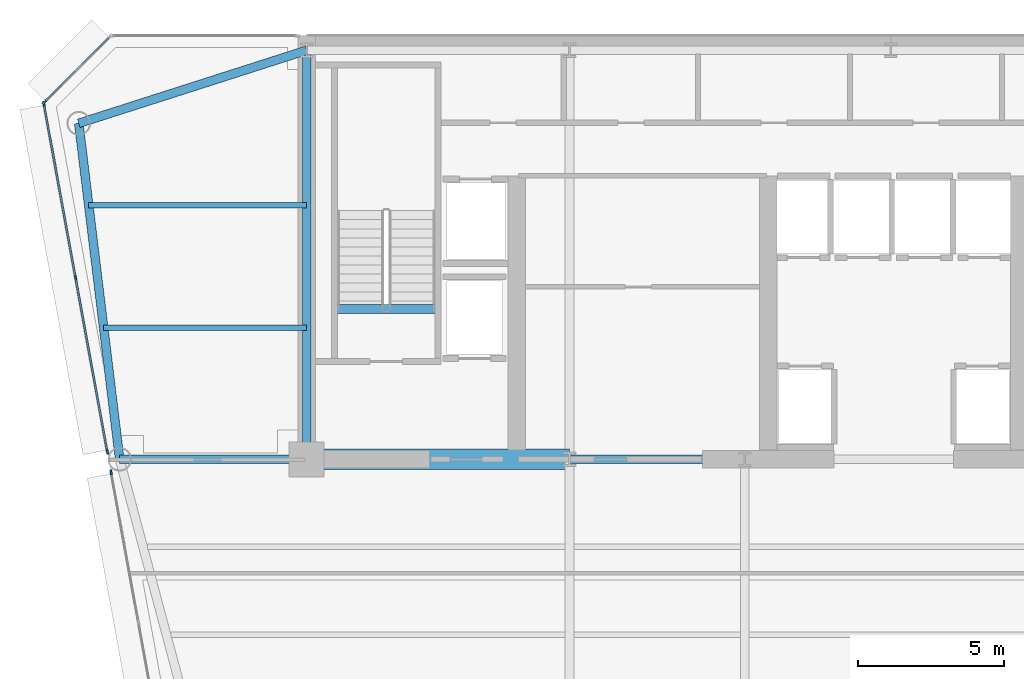
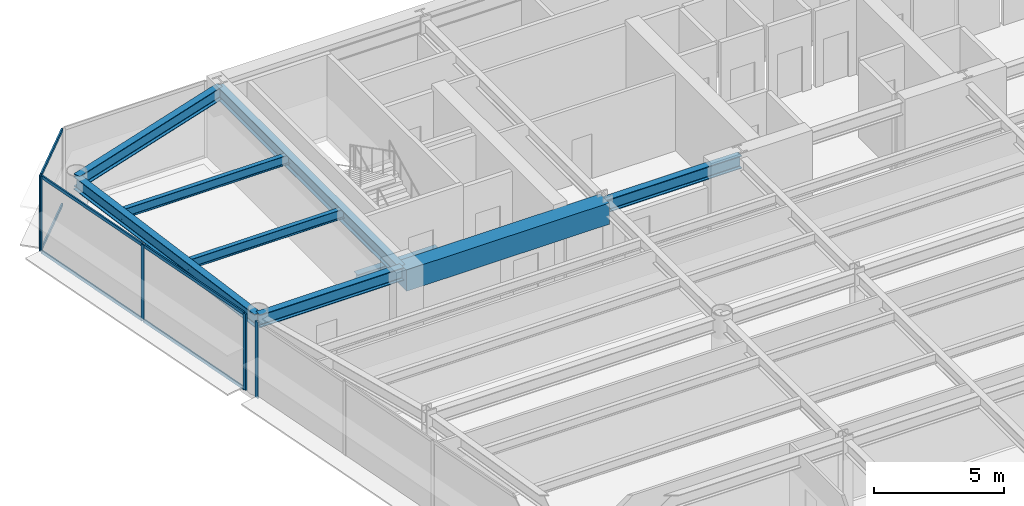
# One storey, part 7 of 17: 11 members, 9 beams, 3 elements without a shape of their own.
"""IFC4 building model written with IfcOpenShell, lengths in metres."""

from ifc_helpers import new_model, si_unit, direction, frame, origin, origin_2d, place, context, subcontext, project, spatial, rectangle, i_section, extrude, source, transform, mapped, material, layer, layer_set, material_profile, profile_set, type_object, element, aggregate, save


model = new_model("IFC4")

# Units and contexts
model_context = context("Model", 3, precision=1e-05, world=origin(), true_north=direction((0.0, 1.0)))
body_context = subcontext(model_context, "Body", "Model", "MODEL_VIEW")
ifc_project = project(units=[si_unit("LENGTHUNIT", "METRE"), si_unit("AREAUNIT", "SQUARE_METRE"), si_unit("VOLUMEUNIT", "CUBIC_METRE"), si_unit("PLANEANGLEUNIT", "RADIAN"), si_unit("MASSUNIT", "GRAM", prefix="KILO")], contexts=[model_context])

# Site, building, storey
site_placement = place(None, origin())
site = spatial("IfcSite", under=ifc_project, at=site_placement, CompositionType="ELEMENT")
building_placement = place(site_placement, origin())
building = spatial("IfcBuilding", under=site, at=building_placement, Name="Vaeldorn Concourse Tower", CompositionType="ELEMENT")
storey_placement = place(building_placement, frame((0.0, 0.0, 172.800048828125)))
storey = spatial("IfcBuildingStorey", under=building, at=storey_placement, Name="L44", CompositionType="ELEMENT", Elevation=172.800048828125)

# Beams
ifc_material_1 = material(Name="Concrete C50/60", Category="concrete")
ifc_material_profile_1 = material_profile(ifc_material_1, rectangle(XDim=0.699951171875, YDim=1.0, at=origin_2d()), Name="RC 700x1000")
ifc_profile_set_1 = profile_set([ifc_material_profile_1], Name="Concrete C50/60")
beam_type_1 = type_object("IfcBeamType", Name="BM-CB-RC700", PredefinedType="BEAM", material=ifc_profile_set_1)
shared_shape_1 = source(origin(), body_context, "Body", "SweptSolid", [
    extrude(rectangle(XDim=0.699951171875, YDim=1.0, at=origin_2d()), origin(), (0.0, 0.0, 1.0), 9.0),
])
beam_1_placement = place(storey_placement, frame((14.0, 36.5, 3.079833984375), z_axis=(1.0, 0.0, 0.0), x_axis=(0.0, 1.0, 0.0)))
element("IfcBeam", 1, at=beam_1_placement, inside=storey, type_object=beam_type_1, Name="Core Coupling Beam L44-1", PredefinedType="BEAM", context=body_context, shape_type="MappedRepresentation", body=[
    mapped(shared_shape_1, transform((0.0, 0.0, 0.0), scale=1.0)),
])
ifc_material_2 = material(Name="Steel S355", Category="steel")
ifc_material_profile_2 = material_profile(ifc_material_2, i_section(OverallWidth=0.300048828125, OverallDepth=0.340087890625, WebThickness=0.011962890625, FlangeThickness=0.021484375, FilletRadius=0.027099609375, at=origin_2d()), Name="HEB 340")
ifc_profile_set_2 = profile_set([ifc_material_profile_2], Name="Steel S355")
beam_type_2 = type_object("IfcBeamType", Name="BM-ST-TRIM", PredefinedType="BEAM", material=ifc_profile_set_2)
shared_shape_2 = source(origin(), body_context, "Body", "SweptSolid", [
    extrude(i_section(OverallWidth=0.300048828125, OverallDepth=0.340087890625, WebThickness=0.011962890625, FlangeThickness=0.021484375, FilletRadius=0.027099609375, at=origin_2d()), origin(), (0.0, 0.0, 1.0), 3.590087890625),
])
beam_2_placement = place(storey_placement, frame((14.929931640625, 41.639892578125, -0.39013671875), z_axis=(1.0, 0.0, 0.0), x_axis=(0.0, 1.0, 0.0)))
element("IfcBeam", 2, at=beam_2_placement, inside=storey, type_object=beam_type_2, Name="Stair Landing Trimmer Beam ST-1 L44", PredefinedType="BEAM", context=body_context, shape_type="MappedRepresentation", body=[
    mapped(shared_shape_2, transform((0.0, 0.0, 0.0), scale=1.0)),
])
ifc_material_profile_3 = material_profile(ifc_material_2, i_section(OverallWidth=0.18994140625, OverallDepth=0.449951171875, WebThickness=0.009521484375, FlangeThickness=0.0146484375, FilletRadius=0.02099609375, at=origin_2d()), Name="IPE 450")
ifc_profile_set_3 = profile_set([ifc_material_profile_3], Name="Steel S355")
beam_type_3 = type_object("IfcBeamType", Name="BM-JS-IPE450", PredefinedType="JOIST", material=ifc_profile_set_3)
shared_shape_3 = source(origin(), body_context, "Body", "SweptSolid", [
    extrude(i_section(OverallWidth=0.18994140625, OverallDepth=0.449951171875, WebThickness=0.009521484375, FlangeThickness=0.0146484375, FilletRadius=0.02099609375, at=origin_2d()), origin(), (0.0, 0.0, 1.0), 6.94775390625),
])
beam_3_placement = place(storey_placement, frame((7.05224609375, 41.0, 3.35498046875), z_axis=(1.0, 0.0, 0.0), x_axis=(0.0, 1.0, 0.0)))
element("IfcBeam", 3, at=beam_3_placement, inside=storey, type_object=beam_type_3, Name="Beam JS-L44-NW-410", PredefinedType="JOIST", context=body_context, shape_type="MappedRepresentation", body=[
    mapped(shared_shape_3, transform((0.0, 0.0, 0.0), scale=1.0)),
])
shared_shape_4 = source(origin(), body_context, "Body", "SweptSolid", [
    extrude(i_section(OverallWidth=0.18994140625, OverallDepth=0.449951171875, WebThickness=0.009521484375, FlangeThickness=0.0146484375, FilletRadius=0.02099609375, at=origin_2d()), origin(), (0.0, 0.0, 1.0), 7.458984375),
])
beam_4_placement = place(storey_placement, frame((6.541015625, 45.199951171875, 3.35498046875), z_axis=(1.0, 0.0, 0.0), x_axis=(0.0, 1.0, 0.0)))
element("IfcBeam", 4, at=beam_4_placement, inside=storey, type_object=beam_type_3, Name="Beam JS-L44-NW-452", PredefinedType="JOIST", context=body_context, shape_type="MappedRepresentation", body=[
    mapped(shared_shape_4, transform((0.0, 0.0, 0.0), scale=1.0)),
])
ifc_material_profile_4 = material_profile(ifc_material_2, i_section(OverallWidth=0.300048828125, OverallDepth=0.60009765625, WebThickness=0.015380859375, FlangeThickness=0.030029296875, FilletRadius=0.027099609375, at=origin_2d()), Name="HEB 600")
ifc_profile_set_4 = profile_set([ifc_material_profile_4], Name="Steel S355")
beam_type_4 = type_object("IfcBeamType", Name="BM-PG-HEB600", PredefinedType="BEAM", material=ifc_profile_set_4)
shared_shape_5 = source(origin(), body_context, "Body", "SweptSolid", [
    extrude(i_section(OverallWidth=0.300048828125, OverallDepth=0.60009765625, WebThickness=0.015380859375, FlangeThickness=0.030029296875, FilletRadius=0.027099609375, at=origin_2d()), origin(), (0.0, 0.0, 1.0), 6.0),
])
beam_5_placement = place(storey_placement, frame((23.0, 36.5, 3.280029296875), z_axis=(1.0, 0.0, 0.0), x_axis=(0.0, 1.0, 0.0)))
element("IfcBeam", 5, at=beam_5_placement, inside=storey, type_object=beam_type_4, Name="Beam BM-L44-C-FC2-C-FC3", PredefinedType="BEAM", context=body_context, shape_type="MappedRepresentation", body=[
    mapped(shared_shape_5, transform((0.0, 0.0, 0.0), scale=1.0)),
])
shared_shape_6 = source(origin(), body_context, "Body", "SweptSolid", [
    extrude(i_section(OverallWidth=0.300048828125, OverallDepth=0.60009765625, WebThickness=0.015380859375, FlangeThickness=0.030029296875, FilletRadius=0.027099609375, at=origin_2d()), origin(), (0.0, 0.0, 1.0), 14.0),
])
beam_6_placement = place(storey_placement, frame((14.0, 36.5, 3.280029296875), z_axis=(0.0, 1.0, 0.0), x_axis=(-1.0, 0.0, 0.0)))
element("IfcBeam", 6, at=beam_6_placement, inside=storey, type_object=beam_type_4, Name="Beam BM-L44-C-FC1-C-HC1", PredefinedType="BEAM", context=body_context, shape_type="MappedRepresentation", body=[
    mapped(shared_shape_6, transform((0.0, 0.0, 0.0), scale=1.0)),
])
shared_shape_7 = source(origin(), body_context, "Body", "SweptSolid", [
    extrude(i_section(OverallWidth=0.300048828125, OverallDepth=0.60009765625, WebThickness=0.015380859375, FlangeThickness=0.030029296875, FilletRadius=0.027099609375, at=origin_2d()), origin(), (0.0, 0.0, 1.0), 8.19091796875),
])
beam_7_placement = place(storey_placement, frame((6.199951171875, 48.0, 3.280029296875), z_axis=(0.952282843383, 0.305216949396, 0.0), x_axis=(-0.305216949396, 0.952282843383, 0.0)))
element("IfcBeam", 7, at=beam_7_placement, inside=storey, type_object=beam_type_4, Name="Beam BM-L44-C-NW1-C-HC1", PredefinedType="BEAM", context=body_context, shape_type="MappedRepresentation", body=[
    mapped(shared_shape_7, transform((0.0, 0.0, 0.0), scale=1.0)),
])
shared_shape_8 = source(origin(), body_context, "Body", "SweptSolid", [
    extrude(i_section(OverallWidth=0.300048828125, OverallDepth=0.60009765625, WebThickness=0.015380859375, FlangeThickness=0.030029296875, FilletRadius=0.027099609375, at=origin_2d()), origin(), (0.0, 0.0, 1.0), 11.5849609375),
])
beam_8_placement = place(storey_placement, frame((6.199951171875, 48.0, 3.280029296875), z_axis=(0.120859382899, -0.992669637677, 0.0), x_axis=(0.992669637677, 0.120859382899, 0.0)))
element("IfcBeam", 8, at=beam_8_placement, inside=storey, type_object=beam_type_4, Name="Beam BM-L44-C-NW1-C-NW2", PredefinedType="BEAM", context=body_context, shape_type="MappedRepresentation", body=[
    mapped(shared_shape_8, transform((0.0, 0.0, 0.0), scale=1.0)),
])
shared_shape_9 = source(origin(), body_context, "Body", "SweptSolid", [
    extrude(i_section(OverallWidth=0.300048828125, OverallDepth=0.60009765625, WebThickness=0.015380859375, FlangeThickness=0.030029296875, FilletRadius=0.027099609375, at=origin_2d()), origin(), (0.0, 0.0, 1.0), 6.39990234375),
])
beam_9_placement = place(storey_placement, frame((7.60009765625, 36.5, 3.280029296875), z_axis=(1.0, 0.0, 0.0), x_axis=(0.0, 1.0, 0.0)))
element("IfcBeam", 9, at=beam_9_placement, inside=storey, type_object=beam_type_4, Name="Beam BM-L44-C-NW2-C-FC1", PredefinedType="BEAM", context=body_context, shape_type="MappedRepresentation", body=[
    mapped(shared_shape_9, transform((0.0, 0.0, 0.0), scale=1.0)),
])

# Curtain wall, member
ifc_material_3 = material(Name="Anodised Bronze Aluminium", Category="aluminium")
ifc_layer = layer(ifc_material_3, 0.18994140625)
ifc_layer_set = layer_set([ifc_layer], Name="Anodised Bronze Aluminium")
curtain_wall_type = type_object("IfcCurtainWallType", Name="CW-SYS-03", PredefinedType="NOTDEFINED", material=ifc_layer_set)
curtain_wall_1_placement = place(storey_placement, origin())
curtain_wall_1 = element("IfcCurtainWall", 10, at=curtain_wall_1_placement, inside=storey, type_object=curtain_wall_type, Name="Unitised Curtain Wall CW-L44-E10-1", PredefinedType="NOTDEFINED")
ifc_material_profile_5 = material_profile(ifc_material_3, rectangle(XDim=0.06494140625, YDim=0.169921875, at=origin_2d()), Name="CWM 65x170")
ifc_profile_set_5 = profile_set([ifc_material_profile_5], Name="Anodised Bronze Aluminium")
member_type_1 = type_object("IfcMemberType", Name="CWM-BRONZE-170", PredefinedType="MULLION", material=ifc_profile_set_5)
shared_shape_10 = source(origin(), body_context, "Body", "SweptSolid", [
    extrude(rectangle(XDim=0.06494140625, YDim=0.169921875, at=origin_2d()), origin(), (0.0, 0.0, 1.0), 3.579833984375),
])
member_1_placement = place(storey_placement, frame((5.02294921875, 48.722900390625, 0.0), z_axis=(0.0, 0.0, 1.0), x_axis=(0.707106781187, -0.707106781187, 0.0)))
member_1 = element("IfcMember", 11, at=member_1_placement, type_object=member_type_1, Name="CW-03 mullion 2", PredefinedType="MULLION", context=body_context, shape_type="MappedRepresentation", body=[
    mapped(shared_shape_10, transform((0.0, 0.0, 0.0), scale=1.0)),
])

# Curtain wall, members
curtain_wall_2_placement = place(storey_placement, origin())
curtain_wall_2 = element("IfcCurtainWall", 12, at=curtain_wall_2_placement, inside=storey, type_object=curtain_wall_type, Name="Unitised Curtain Wall CW-L44-E11-1", PredefinedType="NOTDEFINED")
member_2_placement = place(storey_placement, frame((5.005859375, 48.66796875, 0.0), z_axis=(0.0, 0.0, 1.0), x_axis=(0.983767579285, 0.179447345892, 0.0)))
member_2 = element("IfcMember", 13, at=member_2_placement, type_object=member_type_1, Name="CW-03 mullion 1", PredefinedType="MULLION", context=body_context, shape_type="MappedRepresentation", body=[
    mapped(shared_shape_10, transform((0.0, 0.0, 0.0), scale=1.0)),
])
member_3_placement = place(storey_placement, frame((6.091796875, 42.71484375, 0.0), z_axis=(0.0, 0.0, 1.0), x_axis=(0.983767579285, 0.179447345892, 0.0)))
member_3 = element("IfcMember", 14, at=member_3_placement, type_object=member_type_1, Name="CW-03 mullion 2", PredefinedType="MULLION", context=body_context, shape_type="MappedRepresentation", body=[
    mapped(shared_shape_10, transform((0.0, 0.0, 0.0), scale=1.0)),
])
member_4_placement = place(storey_placement, frame((7.177734375, 36.761474609375, 0.0), z_axis=(0.0, 0.0, 1.0), x_axis=(0.983767579285, 0.179447345892, 0.0)))
member_4 = element("IfcMember", 15, at=member_4_placement, type_object=member_type_1, Name="CW-03 mullion 3", PredefinedType="MULLION", context=body_context, shape_type="MappedRepresentation", body=[
    mapped(shared_shape_10, transform((0.0, 0.0, 0.0), scale=1.0)),
])

# Curtain wall, member
curtain_wall_3_placement = place(storey_placement, origin())
curtain_wall_3 = element("IfcCurtainWall", 16, at=curtain_wall_3_placement, inside=storey, type_object=curtain_wall_type, Name="Unitised Curtain Wall CW-L44-E11-2", PredefinedType="NOTDEFINED")
member_5_placement = place(storey_placement, frame((7.30712890625, 36.051513671875, 0.0), z_axis=(0.0, 0.0, 1.0), x_axis=(0.983767841325, 0.179445909331, 0.0)))
member_5 = element("IfcMember", 17, at=member_5_placement, type_object=member_type_1, Name="CW-03 mullion 1", PredefinedType="MULLION", context=body_context, shape_type="MappedRepresentation", body=[
    mapped(shared_shape_10, transform((0.0, 0.0, 0.0), scale=1.0)),
])
aggregate(curtain_wall_3, [member_5])

# Member
ifc_material_profile_6 = material_profile(ifc_material_3, rectangle(XDim=0.06494140625, YDim=0.14990234375, at=origin_2d()), Name="CWT 65x150")
ifc_profile_set_6 = profile_set([ifc_material_profile_6], Name="Anodised Bronze Aluminium")
member_type_2 = type_object("IfcMemberType", Name="CWT-BRONZE-150", PredefinedType="USERDEFINED", material=ifc_profile_set_6)
shared_shape_11 = source(origin(), body_context, "Body", "SweptSolid", [
    extrude(rectangle(XDim=0.06494140625, YDim=0.14990234375, at=origin_2d()), origin(), (0.0, 0.0, 1.0), 3.123046875),
])
member_6_placement = place(storey_placement, frame((7.254150390625, 50.9541015625, 0.032470703125), z_axis=(-0.707106781187, -0.707106781187, 0.0), x_axis=(0.707106781187, -0.707106781187, 0.0)))
member_6 = element("IfcMember", 18, at=member_6_placement, type_object=member_type_2, Name="CW-03 transom 1.1", ObjectType="TRANSOM", PredefinedType="USERDEFINED", context=body_context, shape_type="MappedRepresentation", body=[
    mapped(shared_shape_11, transform((0.0, 0.0, 0.0), scale=1.0)),
])

member_7_placement = place(storey_placement, frame((7.254150390625, 50.9541015625, 3.54736328125), z_axis=(-0.707106781187, -0.707106781187, 0.0), x_axis=(0.707106781187, -0.707106781187, 0.0)))
member_7 = element("IfcMember", 19, at=member_7_placement, type_object=member_type_2, Name="CW-03 transom 1.2", ObjectType="TRANSOM", PredefinedType="USERDEFINED", context=body_context, shape_type="MappedRepresentation", body=[
    mapped(shared_shape_11, transform((0.0, 0.0, 0.0), scale=1.0)),
])

aggregate(curtain_wall_1, [member_1, member_6, member_7])

shared_shape_12 = source(origin(), body_context, "Body", "SweptSolid", [
    extrude(rectangle(XDim=0.06494140625, YDim=0.14990234375, at=origin_2d()), origin(), (0.0, 0.0, 1.0), 5.986572265625),
])
member_8_placement = place(storey_placement, frame((6.09765625, 42.682861328125, 0.032470703125), z_axis=(0.179438079261, -0.98376926955, 0.0), x_axis=(0.98376926955, 0.179438079261, 0.0)))
member_8 = element("IfcMember", 20, at=member_8_placement, type_object=member_type_2, Name="CW-03 transom 2.1", ObjectType="TRANSOM", PredefinedType="USERDEFINED", context=body_context, shape_type="MappedRepresentation", body=[
    mapped(shared_shape_12, transform((0.0, 0.0, 0.0), scale=1.0)),
])

member_9_placement = place(storey_placement, frame((6.09765625, 42.682861328125, 3.54736328125), z_axis=(0.179438079261, -0.98376926955, 0.0), x_axis=(0.98376926955, 0.179438079261, 0.0)))
member_9 = element("IfcMember", 21, at=member_9_placement, type_object=member_type_2, Name="CW-03 transom 2.2", ObjectType="TRANSOM", PredefinedType="USERDEFINED", context=body_context, shape_type="MappedRepresentation", body=[
    mapped(shared_shape_12, transform((0.0, 0.0, 0.0), scale=1.0)),
])

shared_shape_13 = source(origin(), body_context, "Body", "SweptSolid", [
    extrude(rectangle(XDim=0.06494140625, YDim=0.14990234375, at=origin_2d()), origin(), (0.0, 0.0, 1.0), 5.986328125),
])
member_10_placement = place(storey_placement, frame((5.01171875, 48.635986328125, 0.032470703125), z_axis=(0.179445278506, -0.983767956391, 0.0), x_axis=(0.983767956391, 0.179445278506, 0.0)))
member_10 = element("IfcMember", 22, at=member_10_placement, type_object=member_type_2, Name="CW-03 transom 1.1", ObjectType="TRANSOM", PredefinedType="USERDEFINED", context=body_context, shape_type="MappedRepresentation", body=[
    mapped(shared_shape_13, transform((0.0, 0.0, 0.0), scale=1.0)),
])

member_11_placement = place(storey_placement, frame((5.01171875, 48.635986328125, 3.54736328125), z_axis=(0.179445278506, -0.983767956391, 0.0), x_axis=(0.983767956391, 0.179445278506, 0.0)))
member_11 = element("IfcMember", 23, at=member_11_placement, type_object=member_type_2, Name="CW-03 transom 1.2", ObjectType="TRANSOM", PredefinedType="USERDEFINED", context=body_context, shape_type="MappedRepresentation", body=[
    mapped(shared_shape_13, transform((0.0, 0.0, 0.0), scale=1.0)),
])

aggregate(curtain_wall_2, [member_2, member_3, member_4, member_10, member_11, member_8, member_9])

save(model, "model.ifc")
